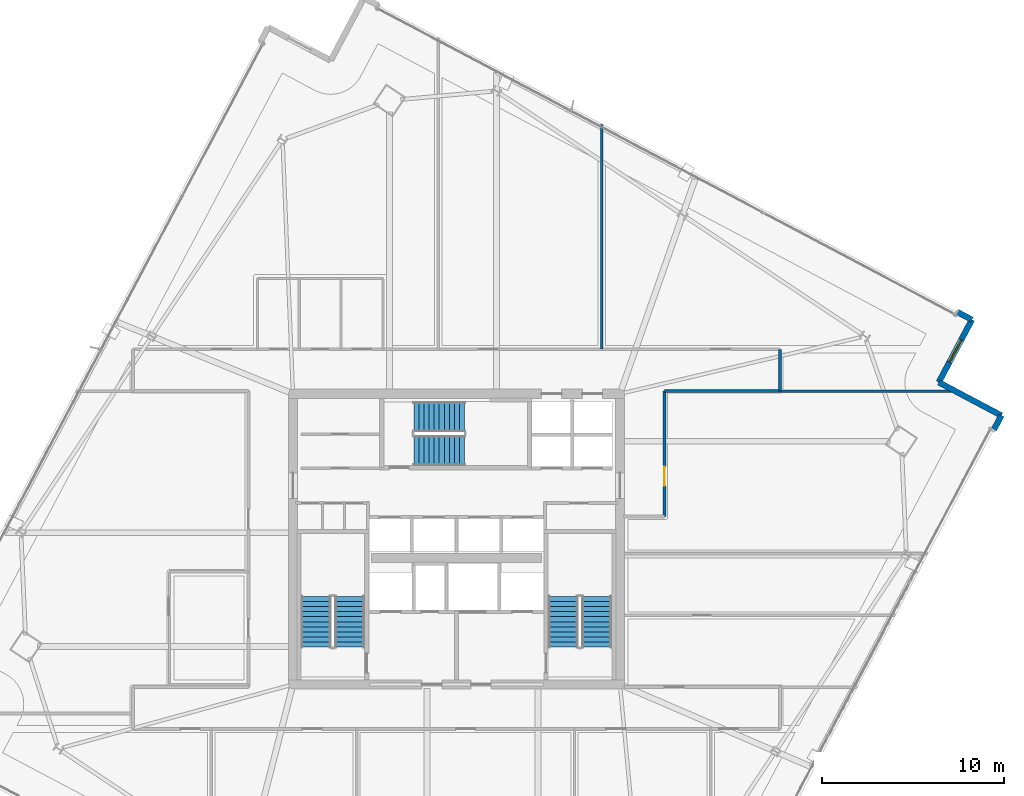
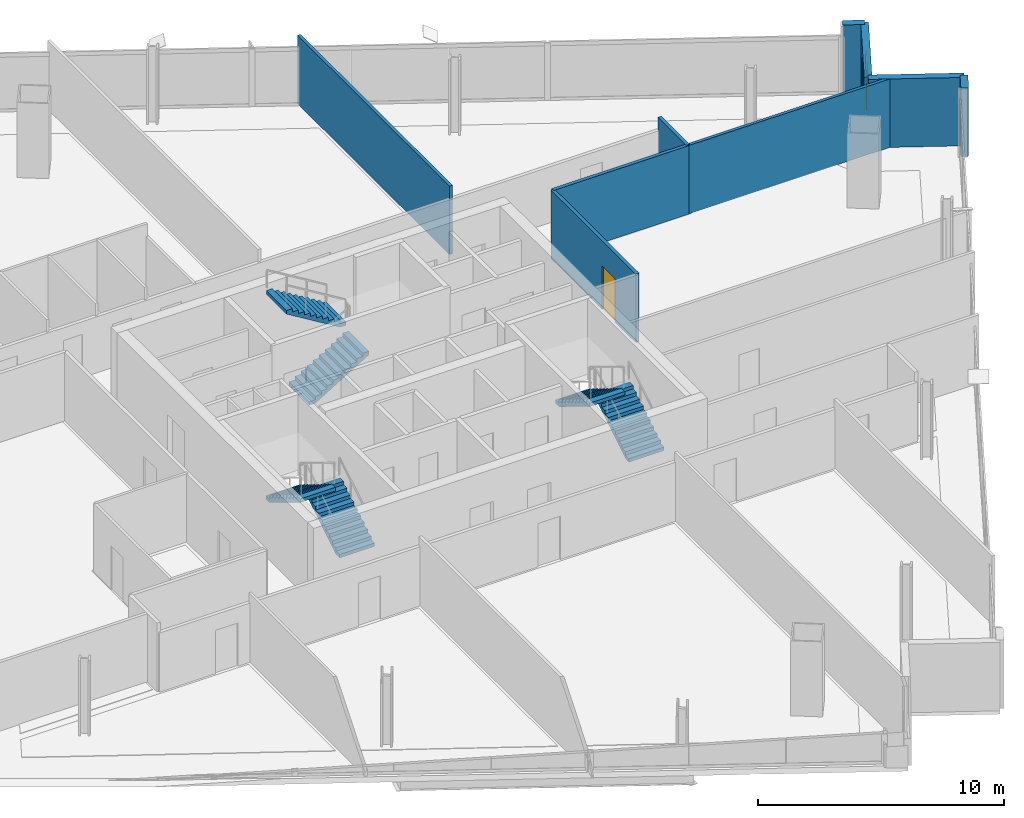
# One storey, part 23 of 28: 9 walls, 6 stair flights, 1 door, 1 window, 2 openings, 3 elements without a shape of their own.
"""IFC4 building model written with IfcOpenShell, lengths in metres."""

import ifcopenshell
import ifcopenshell.guid

model = None  # the IFC model being written
_history = None  # IfcOwnerHistory: only IFC2X3 demands one
_inside = {}  # id of a spatial element -> (the spatial element, [elements in it])
_under = {}  # id of a project, library or spatial element -> (it, [spatial elements below it])
_declared = {}  # id of a project -> (the project, [libraries it declares])
_typed = {}  # id of a type object -> (the type object, [elements of that type])
_made_of = {}  # id of a material, layer set ... -> (it, [elements and type objects made of it])


def new_model(schema):
    """Start an empty IFC model of exactly this schema.

    Asked for "IFC4X3", IfcOpenShell would pick the latest addendum, in which some entities
    have other attributes; the version numbers below select the first issue.
    IFC2X3 requires an IfcOwnerHistory on every rooted entity: one is made here for all.
    """
    global model, _history
    if schema == "IFC4X3":
        model = ifcopenshell.file(schema_version=(4, 3, 0, 0))
    else:
        model = ifcopenshell.file(schema=schema)
    _inside.clear()
    _under.clear()
    _declared.clear()
    _typed.clear()
    _made_of.clear()
    _history = None
    if model.schema == "IFC2X3":
        org = make("IfcOrganization", Name="unknown")
        user = make(
            "IfcPersonAndOrganization",
            ThePerson=make("IfcPerson", FamilyName="unknown"),
            TheOrganization=org,
        )
        app = make(
            "IfcApplication",
            ApplicationDeveloper=org,
            Version="unknown",
            ApplicationFullName="unknown",
            ApplicationIdentifier="unknown",
        )
        _history = make(
            "IfcOwnerHistory",
            OwningUser=user,
            OwningApplication=app,
            ChangeAction="ADDED",
            CreationDate=0,
        )
    return model


def make(cls, **values):
    """One entity of the class cls with the attributes given. An attribute that is None is left unset."""
    return model.create_entity(
        cls, **{name: value for name, value in values.items() if value is not None}
    )


def rooted(cls, **values):
    """An entity with a GlobalId (a new one), such as an element, a storey or a relation."""
    return make(cls, GlobalId=ifcopenshell.guid.new(), OwnerHistory=_history, **values)


def si_unit(unit_type, name, prefix=None):
    """IfcSIUnit, for example si_unit("LENGTHUNIT", "METRE", prefix="MILLI")."""
    return make("IfcSIUnit", UnitType=unit_type, Prefix=prefix, Name=name)


def assignment(units):
    """IfcUnitAssignment: the units of a project."""
    return None if units is None else make("IfcUnitAssignment", Units=units)


def point(xyz):
    """IfcCartesianPoint."""
    return None if xyz is None else make("IfcCartesianPoint", Coordinates=xyz)


def direction(xyz):
    """IfcDirection."""
    return None if xyz is None else make("IfcDirection", DirectionRatios=xyz)


def frame(location, z_axis=None, x_axis=None):
    """IfcAxis2Placement3D, a coordinate frame: its origin and axes. An axis left out is left unset."""
    return make(
        "IfcAxis2Placement3D",
        Location=point(location),
        Axis=direction(z_axis),
        RefDirection=direction(x_axis),
    )


def frame_2d(location, x_axis=None):
    """IfcAxis2Placement2D, a coordinate frame in the plane: its origin and x axis."""
    return make(
        "IfcAxis2Placement2D", Location=point(location), RefDirection=direction(x_axis)
    )


def origin():
    """The frame at (0, 0, 0) with its axes left unset."""
    return frame((0.0, 0.0, 0.0))


def place(relative_to, where):
    """IfcLocalPlacement: puts the frame where relative to a parent placement (None: the world)."""
    return make(
        "IfcLocalPlacement", PlacementRelTo=relative_to, RelativePlacement=where
    )


def context(
    kind, dimensions, precision=None, world=None, true_north=None, identifier=None
):
    """IfcGeometricRepresentationContext, for example the 3D "Model" context."""
    return make(
        "IfcGeometricRepresentationContext",
        ContextIdentifier=identifier,
        ContextType=kind,
        CoordinateSpaceDimension=dimensions,
        Precision=precision,
        WorldCoordinateSystem=world,
        TrueNorth=true_north,
    )


def subcontext(parent, identifier, kind, view, scale=None):
    """IfcGeometricRepresentationSubContext, for example "Body" below "Model"."""
    return make(
        "IfcGeometricRepresentationSubContext",
        ContextIdentifier=identifier,
        ContextType=kind,
        ParentContext=parent,
        TargetScale=scale,
        TargetView=view,
    )


def project(units=None, contexts=None):
    """IfcProject with its units and contexts."""
    return rooted(
        "IfcProject",
        Name="project",
        RepresentationContexts=contexts,
        UnitsInContext=assignment(units),
    )


def spatial(cls, under=None, at=None, **own):
    """A site, building, storey or space (cls), placed at a placement, below another one or the project."""
    s = rooted(cls, ObjectPlacement=at, **own)
    if under is not None:
        _under.setdefault(under.id(), (under, []))[1].append(s)
    return s


def polyline(points):
    """IfcPolyline through the points."""
    return make("IfcPolyline", Points=[point(p) for p in points])


def profile(cls, at=None, kind="AREA", **sizes):
    """A parametric profile (cls). Its sizes go by their IFC names, for example OverallWidth=200.0."""
    return make(cls, ProfileType=kind, Position=at, **sizes)


def rectangle(**sizes):
    """IfcRectangleProfileDef."""
    return profile("IfcRectangleProfileDef", **sizes)


def outline(outer, holes=None, kind="AREA"):
    """IfcArbitraryClosedProfileDef: a profile drawn as a closed curve; with holes, ...WithVoids."""
    if holes is None:
        return make("IfcArbitraryClosedProfileDef", ProfileType=kind, OuterCurve=outer)
    return make(
        "IfcArbitraryProfileDefWithVoids",
        ProfileType=kind,
        OuterCurve=outer,
        InnerCurves=holes,
    )


def extrude(swept, where, along, depth):
    """IfcExtrudedAreaSolid: the profile swept, set in the frame where, extruded along a direction by depth."""
    return make(
        "IfcExtrudedAreaSolid",
        SweptArea=swept,
        Position=where,
        ExtrudedDirection=direction(along),
        Depth=depth,
    )


def shape(context_of_items, identifier, shape_type, items):
    """IfcShapeRepresentation: the items that make up one representation, for example the "Body"."""
    return make(
        "IfcShapeRepresentation",
        ContextOfItems=context_of_items,
        RepresentationIdentifier=identifier,
        RepresentationType=shape_type,
        Items=items,
    )


def material(Name=None, Category=None):
    """IfcMaterial."""
    return make("IfcMaterial", Name=Name, Category=Category)


def layer(
    of_material, thickness, ventilated=None, Name=None, Category=None, Priority=None
):
    """IfcMaterialLayer: one layer of a wall or slab, of a material (None: an air gap)."""
    return make(
        "IfcMaterialLayer",
        Material=of_material,
        LayerThickness=thickness,
        IsVentilated=ventilated,
        Name=Name,
        Category=Category,
        Priority=Priority,
    )


def layer_set(layers, Name=None):
    """IfcMaterialLayerSet."""
    return make("IfcMaterialLayerSet", MaterialLayers=layers, LayerSetName=Name)


def made_of(thing, what):
    """Note that an element or type object is made of a material, layer set ...; save() writes the relation."""
    if what is not None:
        _made_of.setdefault(what.id(), (what, []))[1].append(thing)
    return thing


def type_object(cls, material=None, **own):
    """A type object (cls), such as IfcWallType, which elements share."""
    return made_of(rooted(cls, **own), material)


def element(
    cls,
    number,
    at=None,
    inside=None,
    cuts=None,
    type_object=None,
    material=None,
    context=None,
    identifier="Body",
    shape_type=None,
    held_by="IfcProductDefinitionShape",
    body=None,
    shapes=None,
    **own,
):
    """One element of the class cls, such as IfcWall. Its Tag is "e" and its number.

    at: its placement. inside: the storey or other place that contains it. cuts: it is an
    opening in that element (IfcRelVoidsElement). A single representation is given by context,
    identifier, shape_type and body (its items); several are given by shapes. held_by: the class
    of the entity that holds the representations. save() writes the other relations.
    """
    e = rooted(cls, Tag="e%d" % number, ObjectPlacement=at, **own)
    if body is not None:
        shapes = [shape(context, identifier, shape_type, body)]
    if shapes is not None:
        e.Representation = make(held_by, Representations=shapes)
    if inside is not None:
        _inside.setdefault(inside.id(), (inside, []))[1].append(e)
    if cuts is not None:
        rooted(
            "IfcRelVoidsElement", RelatingBuildingElement=cuts, RelatedOpeningElement=e
        )
    if type_object is not None:
        _typed.setdefault(type_object.id(), (type_object, []))[1].append(e)
    return made_of(e, material)


def fill(opening, filler):
    """IfcRelFillsElement: the door or window that sits in an opening."""
    return rooted(
        "IfcRelFillsElement",
        RelatingOpeningElement=opening,
        RelatedBuildingElement=filler,
    )


def aggregate(whole, parts):
    """IfcRelAggregates: a whole, such as a stair, and the parts it consists of."""
    return rooted("IfcRelAggregates", RelatingObject=whole, RelatedObjects=parts)


def save(model, path):
    """Write the relations noted so far, then the file.

    IfcRelAggregates (storeys below a building ...), IfcRelContainedInSpatialStructure (elements
    in a storey), IfcRelDefinesByType, IfcRelAssociatesMaterial and IfcRelDeclares: one each for
    every whole, place, type object, material and project.
    """
    for whole, parts in _under.values():
        aggregate(whole, parts)
    for where, things in _inside.values():
        rooted(
            "IfcRelContainedInSpatialStructure",
            RelatedElements=things,
            RelatingStructure=where,
        )
    for kind, things in _typed.values():
        rooted("IfcRelDefinesByType", RelatedObjects=things, RelatingType=kind)
    for what, things in _made_of.values():
        rooted("IfcRelAssociatesMaterial", RelatedObjects=things, RelatingMaterial=what)
    for by, libraries in _declared.values():
        rooted("IfcRelDeclares", RelatingContext=by, RelatedDefinitions=libraries)
    model.write(path)


model = new_model("IFC4")

# Units and contexts
model_context = context("Model", 3, precision=1e-05, world=origin(), true_north=direction((0.0, 1.0)))
body_context = subcontext(model_context, "Body", "Model", "MODEL_VIEW")
ifc_project = project(units=[si_unit("LENGTHUNIT", "METRE"), si_unit("AREAUNIT", "SQUARE_METRE"), si_unit("VOLUMEUNIT", "CUBIC_METRE"), si_unit("PLANEANGLEUNIT", "RADIAN"), si_unit("MASSUNIT", "GRAM", prefix="KILO")], contexts=[model_context])

# Site, building, storey
site_placement = place(None, origin())
site = spatial("IfcSite", under=ifc_project, at=site_placement, CompositionType="ELEMENT")
building_placement = place(site_placement, origin())
building = spatial("IfcBuilding", under=site, at=building_placement, Name="Haldenkirk Collegiate Tower", CompositionType="ELEMENT")
storey_placement = place(building_placement, frame((0.0, 0.0, 235.949951171875)))
storey = spatial("IfcBuildingStorey", under=building, at=storey_placement, Name="L59", CompositionType="ELEMENT", Elevation=235.949951171875)

# Walls
ifc_material_1 = material(Name="Precast concrete f'c 40 MPa", Category="concrete")
ifc_layer_1 = layer(ifc_material_1, 0.320068359375)
ifc_layer_set_1 = layer_set([ifc_layer_1], Name="Precast concrete f'c 40 MPa")
wall_type_1 = type_object("IfcWallType", Name="WL-EXT-TWR-320", PredefinedType="STANDARD", material=ifc_layer_set_1)
wall_1_placement = place(storey_placement, frame((65.995849609375, 32.804931640625, 0.0), z_axis=(0.0, 0.0, 1.0), x_axis=(-0.467925110021, -0.883768120839, 0.0)))
element("IfcWall", 1, at=wall_1_placement, inside=storey, type_object=wall_type_1, Name="L59 precast corner pier SL", PredefinedType="STANDARD", context=body_context, shape_type="SweptSolid", body=[
    extrude(rectangle(XDim=0.89990234375, YDim=0.320068359375, at=frame_2d((0.449951171875, 0.0))), origin(), (0.0, 0.0, 1.0), 3.400146484375),
])
wall_2_placement = place(storey_placement, frame((62.549072265625, 34.6298828125, 0.0), z_axis=(0.0, 0.0, 1.0), x_axis=(0.883768120839, -0.467925110021, 0.0)))
element("IfcWall", 2, at=wall_2_placement, inside=storey, type_object=wall_type_1, Name="L59 bronze precast notch wall 02", PredefinedType="STANDARD", context=body_context, shape_type="SweptSolid", body=[
    extrude(rectangle(XDim=3.900146484375, YDim=0.320068359375, at=frame_2d((1.9501953125, 0.0))), origin(), (0.0, 0.0, 1.0), 3.400146484375),
])

# Wall, opening, window
wall_3_placement = place(storey_placement, frame((64.3740234375, 38.07666015625, 0.0), z_axis=(0.0, 0.0, 1.0), x_axis=(-0.467925110021, -0.883768120839, 0.0)))
wall_3 = element("IfcWall", 3, at=wall_3_placement, inside=storey, type_object=wall_type_1, Name="L59 bronze precast notch wall 03", PredefinedType="STANDARD", context=body_context, shape_type="SweptSolid", body=[
    extrude(rectangle(XDim=3.900146484375, YDim=0.320068359375, at=frame_2d((1.9501953125, 0.0))), origin(), (0.0, 0.0, 1.0), 3.400146484375),
])
opening_1_placement = place(wall_3_placement, frame((1.25, 0.0, 0.85009765625)))
opening_1 = element("IfcOpeningElement", 4, at=opening_1_placement, cuts=wall_3, Name="Opening W-06", PredefinedType="OPENING", context=body_context, shape_type="SweptSolid", body=[
    extrude(rectangle(XDim=1.39990234375, YDim=2.0, at=frame_2d((0.699951171875, 1.0))), frame((0.0, 0.169921875, 0.0), z_axis=(0.0, -1.0, 0.0), x_axis=(1.0, 0.0, 0.0)), (0.0, 0.0, 1.0), 0.340087890625),
])
ifc_material_2 = material(Name="Low-E argon triple insulating glass", Category="glass")
ifc_layer_2 = layer(ifc_material_2, 0.090087890625)
ifc_layer_set_2 = layer_set([ifc_layer_2], Name="Low-E argon triple insulating glass")
window_type = type_object("IfcWindowType", Name="WN-Z4-1400X2000", PartitioningType="SINGLE_PANEL", PredefinedType="WINDOW", material=ifc_layer_set_2)
window_placement = place(opening_1_placement, origin())
window = element("IfcWindow", 5, at=window_placement, inside=storey, type_object=window_type, Name="L59 precast-frame academic window 2", OverallHeight=2.0, OverallWidth=1.39990234375, PartitioningType="SINGLE_PANEL", PredefinedType="WINDOW", context=body_context, shape_type="SweptSolid", body=[
    extrude(rectangle(XDim=1.39990234375, YDim=2.0, at=frame_2d((0.699951171875, 1.0))), frame((0.0, 0.030029296875, 0.0), z_axis=(0.0, -1.0, 0.0), x_axis=(1.0, 0.0, 0.0)), (0.0, 0.0, 1.0), 0.06005859375),
])
fill(opening_1, window)

# Walls
wall_4_placement = place(storey_placement, frame((63.57861328125, 38.497802734375, 0.0), z_axis=(0.0, 0.0, 1.0), x_axis=(0.883768120839, -0.467925110021, 0.0)))
element("IfcWall", 6, at=wall_4_placement, inside=storey, type_object=wall_type_1, Name="L59 precast corner pier ER", PredefinedType="STANDARD", context=body_context, shape_type="SweptSolid", body=[
    extrude(rectangle(XDim=0.89990234375, YDim=0.320068359375, at=frame_2d((0.449951171875, 0.0))), origin(), (0.0, 0.0, 1.0), 3.400146484375),
])
ifc_material_3 = material(Name="Acoustic fire-rated gypsum partition", Category="concrete")
ifc_layer_3 = layer(ifc_material_3, 0.159912109375)
ifc_layer_set_3 = layer_set([ifc_layer_3], Name="Acoustic fire-rated gypsum partition")
wall_type_2 = type_object("IfcWallType", Name="WL-INT-CORR-160", PredefinedType="PARTITIONING", material=ifc_layer_set_3)
wall_5_placement = place(storey_placement, frame((47.449951171875, 34.14990234375, 0.0), z_axis=(0.0, 0.0, 1.0), x_axis=(1.0, 0.0, 0.0)))
element("IfcWall", 7, at=wall_5_placement, inside=storey, type_object=wall_type_2, Name="L59 interior partition IW-L59-CNE", PredefinedType="PARTITIONING", context=body_context, shape_type="SweptSolid", body=[
    extrude(rectangle(XDim=6.35009765625, YDim=0.159912109375, at=frame_2d((3.175048828125, 0.0))), origin(), (0.0, 0.0, 1.0), 3.400146484375),
])

# Wall, opening, door
wall_6_placement = place(storey_placement, frame((47.449951171875, 27.25, 0.0), z_axis=(0.0, 0.0, 1.0), x_axis=(0.0, 1.0, 0.0)))
wall_6 = element("IfcWall", 8, at=wall_6_placement, inside=storey, type_object=wall_type_2, Name="L59 interior partition IW-L59-CE", PredefinedType="PARTITIONING", context=body_context, shape_type="SweptSolid", body=[
    extrude(rectangle(XDim=6.89990234375, YDim=0.159912109375, at=frame_2d((3.449951171875, 0.0))), origin(), (0.0, 0.0, 1.0), 3.400146484375),
])
opening_2_placement = place(wall_6_placement, frame((1.68310546875, 0.0, 0.0)))
opening_2 = element("IfcOpeningElement", 9, at=opening_2_placement, cuts=wall_6, Name="Opening D-09", PredefinedType="OPENING", context=body_context, shape_type="SweptSolid", body=[
    extrude(rectangle(XDim=1.050048828125, YDim=2.14990234375, at=frame_2d((0.52490234375, 1.074951171875))), frame((0.0, 0.08984375, 0.0), z_axis=(0.0, -1.0, 0.0), x_axis=(1.0, 0.0, 0.0)), (0.0, 0.0, 1.0), 0.179931640625),
])
ifc_material_4 = material(Name="Solid-core architectural oak fire door", Category="wood")
ifc_layer_4 = layer(ifc_material_4, 0.06005859375)
ifc_layer_set_4 = layer_set([ifc_layer_4], Name="Solid-core architectural oak fire door")
door_type = type_object("IfcDoorType", Name="DR-INT-FD60-1050", OperationType="NOTDEFINED", PredefinedType="DOOR", material=ifc_layer_set_4)
door_placement = place(opening_2_placement, origin())
door = element("IfcDoor", 10, at=door_placement, inside=storey, type_object=door_type, Name="L59 Rare Folio Vault 12 door", OperationType="SINGLE_SWING_RIGHT", OverallHeight=2.14990234375, OverallWidth=1.050048828125, PredefinedType="DOOR", context=body_context, shape_type="SweptSolid", body=[
    extrude(rectangle(XDim=1.050048828125, YDim=2.14990234375, at=frame_2d((0.52490234375, 1.074951171875))), frame((0.0, 0.02490234375, 0.0), z_axis=(0.0, -1.0, 0.0), x_axis=(1.0, 0.0, 0.0)), (0.0, 0.0, 1.0), 0.050048828125),
])
fill(opening_2, door)

# Walls
wall_7_placement = place(storey_placement, frame((53.800048828125, 34.14990234375, 0.0), z_axis=(0.0, 0.0, 1.0), x_axis=(0.0, 1.0, 0.0)))
element("IfcWall", 11, at=wall_7_placement, inside=storey, type_object=wall_type_2, Name="L59 interior partition IW-L59-CNR", PredefinedType="PARTITIONING", context=body_context, shape_type="SweptSolid", body=[
    extrude(rectangle(XDim=2.300048828125, YDim=0.159912109375, at=frame_2d((1.14990234375, 0.0))), origin(), (0.0, 0.0, 1.0), 3.400146484375),
])
ifc_layer_5 = layer(ifc_material_3, 0.139892578125)
ifc_layer_set_5 = layer_set([ifc_layer_5], Name="Acoustic fire-rated gypsum partition")
wall_type_3 = type_object("IfcWallType", Name="WL-INT-DIV-140", PredefinedType="PARTITIONING", material=ifc_layer_set_5)
wall_8_placement = place(storey_placement, frame((53.800048828125, 34.14990234375, 0.0), z_axis=(0.0, 0.0, 1.0), x_axis=(1.0, 0.0, 0.0)))
element("IfcWall", 12, at=wall_8_placement, inside=storey, type_object=wall_type_3, Name="L59 interior partition IW-L59-BEN", PredefinedType="PARTITIONING", context=body_context, shape_type="SweptSolid", body=[
    extrude(rectangle(XDim=9.570068359375, YDim=0.139892578125, at=frame_2d((4.78515625, 0.0))), origin(), (0.0, 0.0, 1.0), 3.400146484375),
])
wall_9_placement = place(storey_placement, frame((44.0, 36.449951171875, 0.0), z_axis=(0.0, 0.0, 1.0), x_axis=(0.0, 1.0, 0.0)))
element("IfcWall", 13, at=wall_9_placement, inside=storey, type_object=wall_type_3, Name="L59 interior partition IW-L59-RN2", PredefinedType="PARTITIONING", context=body_context, shape_type="SweptSolid", body=[
    extrude(rectangle(XDim=12.368896484375, YDim=0.139892578125, at=frame_2d((6.1845703125, 0.0))), origin(), (0.0, 0.0, 1.0), 3.400146484375),
])

# Stair, stair flights
ifc_material_5 = material(Name="Concrete f'c 40 MPa", Category="concrete")
stair_type = type_object("IfcStairType", Name="STR-DOGLEG-1650", PredefinedType="HALF_TURN_STAIR", material=ifc_material_5)
stair_1_placement = place(storey_placement, origin())
stair_1 = element("IfcStair", 14, at=stair_1_placement, inside=storey, type_object=stair_type, Name="L59 Core Exit Stair ST-1", PredefinedType="HALF_TURN_STAIR")
stair_flight_type = type_object("IfcStairFlightType", Name="STF-FLIGHT-1650", PredefinedType="STRAIGHT", material=ifc_material_5)
stair_flight_1_placement = place(storey_placement, frame((30.125, 20.050048828125, 0.0), z_axis=(0.0, 0.0, 1.0), x_axis=(0.0, 1.0, 0.0)))
stair_flight_1 = element("IfcStairFlight", 15, at=stair_flight_1_placement, type_object=stair_flight_type, Name="ST-1 flight 1", NumberOfRisers=11, NumberOfTreads=10, PredefinedType="STRAIGHT", RiserHeight=0.170454545, TreadLength=0.28, context=body_context, shape_type="SweptSolid", body=[
    extrude(outline(polyline([(0.0, 0.0), (0.0, 0.17041015625), (0.280029296875, 0.17041015625), (0.280029296875, 0.3408203125), (0.56005859375, 0.3408203125), (0.56005859375, 0.511474609375), (0.840087890625, 0.511474609375), (0.840087890625, 0.681884765625), (1.1201171875, 0.681884765625), (1.1201171875, 0.852294921875), (1.39990234375, 0.852294921875), (1.39990234375, 1.022705078125), (1.679931640625, 1.022705078125), (1.679931640625, 1.193115234375), (1.9599609375, 1.193115234375), (1.9599609375, 1.363525390625), (2.239990234375, 1.363525390625), (2.239990234375, 1.5341796875), (2.52001953125, 1.5341796875), (2.52001953125, 1.70458984375), (2.800048828125, 1.70458984375), (2.800048828125, 1.875), (2.800048828125, 1.529052734375), (0.288330078125, 0.0), (0.0, 0.0)])), frame((0.0, 0.824951171875, 0.0), z_axis=(0.0, -1.0, 0.0), x_axis=(1.0, 0.0, 0.0)), (0.0, 0.0, 1.0), 1.64990234375),
])
stair_flight_2_placement = place(storey_placement, frame((28.27490234375, 22.85009765625, 1.875), z_axis=(0.0, 0.0, 1.0), x_axis=(0.0, -1.0, 0.0)))
stair_flight_2 = element("IfcStairFlight", 16, at=stair_flight_2_placement, type_object=stair_flight_type, Name="ST-1 flight 2", NumberOfRisers=11, NumberOfTreads=10, PredefinedType="STRAIGHT", RiserHeight=0.170454545, TreadLength=0.28, context=body_context, shape_type="SweptSolid", body=[
    extrude(outline(polyline([(0.0, 0.0), (0.0, 0.17041015625), (0.280029296875, 0.17041015625), (0.280029296875, 0.3408203125), (0.56005859375, 0.3408203125), (0.56005859375, 0.511474609375), (0.840087890625, 0.511474609375), (0.840087890625, 0.681884765625), (1.1201171875, 0.681884765625), (1.1201171875, 0.852294921875), (1.39990234375, 0.852294921875), (1.39990234375, 1.022705078125), (1.679931640625, 1.022705078125), (1.679931640625, 1.193115234375), (1.9599609375, 1.193115234375), (1.9599609375, 1.363525390625), (2.239990234375, 1.363525390625), (2.239990234375, 1.5341796875), (2.52001953125, 1.5341796875), (2.52001953125, 1.70458984375), (2.800048828125, 1.70458984375), (2.800048828125, 1.875), (2.800048828125, 1.529052734375), (0.288330078125, 0.0), (0.0, 0.0)])), frame((0.0, 0.824951171875, 0.0), z_axis=(0.0, -1.0, 0.0), x_axis=(1.0, 0.0, 0.0)), (0.0, 0.0, 1.0), 1.64990234375),
])
aggregate(stair_1, [stair_flight_1, stair_flight_2])

stair_2_placement = place(storey_placement, origin())
stair_2 = element("IfcStair", 17, at=stair_2_placement, inside=storey, type_object=stair_type, Name="L59 Core Exit Stair ST-2", PredefinedType="HALF_TURN_STAIR")
stair_flight_3_placement = place(storey_placement, frame((43.72509765625, 20.050048828125, 0.0), z_axis=(0.0, 0.0, 1.0), x_axis=(0.0, 1.0, 0.0)))
stair_flight_3 = element("IfcStairFlight", 18, at=stair_flight_3_placement, type_object=stair_flight_type, Name="ST-2 flight 1", NumberOfRisers=11, NumberOfTreads=10, PredefinedType="STRAIGHT", RiserHeight=0.170454545, TreadLength=0.28, context=body_context, shape_type="SweptSolid", body=[
    extrude(outline(polyline([(0.0, 0.0), (0.0, 0.17041015625), (0.280029296875, 0.17041015625), (0.280029296875, 0.3408203125), (0.56005859375, 0.3408203125), (0.56005859375, 0.511474609375), (0.840087890625, 0.511474609375), (0.840087890625, 0.681884765625), (1.1201171875, 0.681884765625), (1.1201171875, 0.852294921875), (1.39990234375, 0.852294921875), (1.39990234375, 1.022705078125), (1.679931640625, 1.022705078125), (1.679931640625, 1.193115234375), (1.9599609375, 1.193115234375), (1.9599609375, 1.363525390625), (2.239990234375, 1.363525390625), (2.239990234375, 1.5341796875), (2.52001953125, 1.5341796875), (2.52001953125, 1.70458984375), (2.800048828125, 1.70458984375), (2.800048828125, 1.875), (2.800048828125, 1.529052734375), (0.288330078125, 0.0), (0.0, 0.0)])), frame((0.0, 0.824951171875, 0.0), z_axis=(0.0, -1.0, 0.0), x_axis=(1.0, 0.0, 0.0)), (0.0, 0.0, 1.0), 1.64990234375),
])
stair_flight_4_placement = place(storey_placement, frame((41.875, 22.85009765625, 1.875), z_axis=(0.0, 0.0, 1.0), x_axis=(0.0, -1.0, 0.0)))
stair_flight_4 = element("IfcStairFlight", 19, at=stair_flight_4_placement, type_object=stair_flight_type, Name="ST-2 flight 2", NumberOfRisers=11, NumberOfTreads=10, PredefinedType="STRAIGHT", RiserHeight=0.170454545, TreadLength=0.28, context=body_context, shape_type="SweptSolid", body=[
    extrude(outline(polyline([(0.0, 0.0), (0.0, 0.17041015625), (0.280029296875, 0.17041015625), (0.280029296875, 0.3408203125), (0.56005859375, 0.3408203125), (0.56005859375, 0.511474609375), (0.840087890625, 0.511474609375), (0.840087890625, 0.681884765625), (1.1201171875, 0.681884765625), (1.1201171875, 0.852294921875), (1.39990234375, 0.852294921875), (1.39990234375, 1.022705078125), (1.679931640625, 1.022705078125), (1.679931640625, 1.193115234375), (1.9599609375, 1.193115234375), (1.9599609375, 1.363525390625), (2.239990234375, 1.363525390625), (2.239990234375, 1.5341796875), (2.52001953125, 1.5341796875), (2.52001953125, 1.70458984375), (2.800048828125, 1.70458984375), (2.800048828125, 1.875), (2.800048828125, 1.529052734375), (0.288330078125, 0.0), (0.0, 0.0)])), frame((0.0, 0.824951171875, 0.0), z_axis=(0.0, -1.0, 0.0), x_axis=(1.0, 0.0, 0.0)), (0.0, 0.0, 1.0), 1.64990234375),
])
aggregate(stair_2, [stair_flight_3, stair_flight_4])

stair_3_placement = place(storey_placement, origin())
stair_3 = element("IfcStair", 20, at=stair_3_placement, inside=storey, type_object=stair_type, Name="L59 Core Exit Stair ST-3", PredefinedType="HALF_TURN_STAIR")
stair_flight_5_placement = place(storey_placement, frame((33.64990234375, 30.875, 0.0), z_axis=(0.0, 0.0, 1.0), x_axis=(1.0, 0.0, 0.0)))
stair_flight_5 = element("IfcStairFlight", 21, at=stair_flight_5_placement, type_object=stair_flight_type, Name="ST-3 flight 1", NumberOfRisers=11, NumberOfTreads=10, PredefinedType="STRAIGHT", RiserHeight=0.170454545, TreadLength=0.28, context=body_context, shape_type="SweptSolid", body=[
    extrude(outline(polyline([(0.0, 0.0), (0.0, 0.17041015625), (0.280029296875, 0.17041015625), (0.280029296875, 0.3408203125), (0.56005859375, 0.3408203125), (0.56005859375, 0.511474609375), (0.840087890625, 0.511474609375), (0.840087890625, 0.681884765625), (1.1201171875, 0.681884765625), (1.1201171875, 0.852294921875), (1.39990234375, 0.852294921875), (1.39990234375, 1.022705078125), (1.679931640625, 1.022705078125), (1.679931640625, 1.193115234375), (1.9599609375, 1.193115234375), (1.9599609375, 1.363525390625), (2.239990234375, 1.363525390625), (2.239990234375, 1.5341796875), (2.52001953125, 1.5341796875), (2.52001953125, 1.70458984375), (2.800048828125, 1.70458984375), (2.800048828125, 1.875), (2.800048828125, 1.529052734375), (0.288330078125, 0.0), (0.0, 0.0)])), frame((0.0, 0.824951171875, 0.0), z_axis=(0.0, -1.0, 0.0), x_axis=(1.0, 0.0, 0.0)), (0.0, 0.0, 1.0), 1.64990234375),
])
stair_flight_6_placement = place(storey_placement, frame((36.449951171875, 32.72509765625, 1.875), z_axis=(0.0, 0.0, 1.0), x_axis=(-1.0, 0.0, 0.0)))
stair_flight_6 = element("IfcStairFlight", 22, at=stair_flight_6_placement, type_object=stair_flight_type, Name="ST-3 flight 2", NumberOfRisers=11, NumberOfTreads=10, PredefinedType="STRAIGHT", RiserHeight=0.170454545, TreadLength=0.28, context=body_context, shape_type="SweptSolid", body=[
    extrude(outline(polyline([(0.0, 0.0), (0.0, 0.17041015625), (0.280029296875, 0.17041015625), (0.280029296875, 0.3408203125), (0.56005859375, 0.3408203125), (0.56005859375, 0.511474609375), (0.840087890625, 0.511474609375), (0.840087890625, 0.681884765625), (1.1201171875, 0.681884765625), (1.1201171875, 0.852294921875), (1.39990234375, 0.852294921875), (1.39990234375, 1.022705078125), (1.679931640625, 1.022705078125), (1.679931640625, 1.193115234375), (1.9599609375, 1.193115234375), (1.9599609375, 1.363525390625), (2.239990234375, 1.363525390625), (2.239990234375, 1.5341796875), (2.52001953125, 1.5341796875), (2.52001953125, 1.70458984375), (2.800048828125, 1.70458984375), (2.800048828125, 1.875), (2.800048828125, 1.529052734375), (0.288330078125, 0.0), (0.0, 0.0)])), frame((0.0, 0.824951171875, 0.0), z_axis=(0.0, -1.0, 0.0), x_axis=(1.0, 0.0, 0.0)), (0.0, 0.0, 1.0), 1.64990234375),
])
aggregate(stair_3, [stair_flight_5, stair_flight_6])

save(model, "model.ifc")
